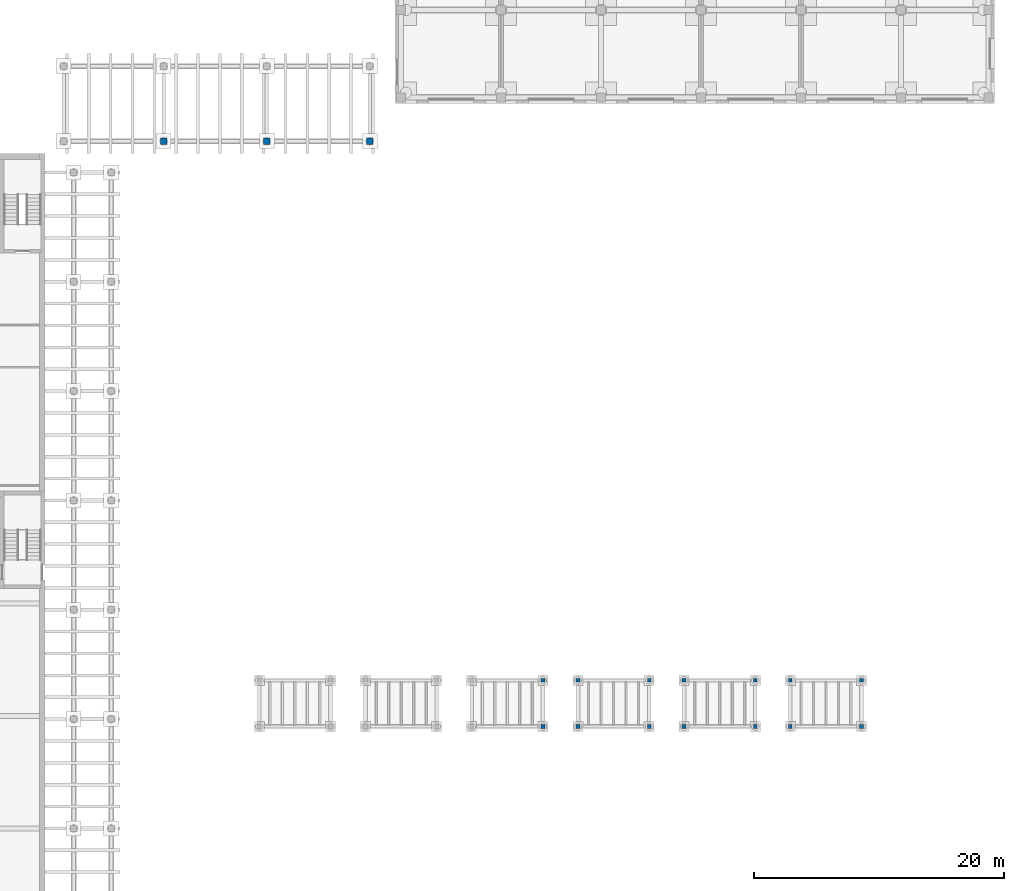
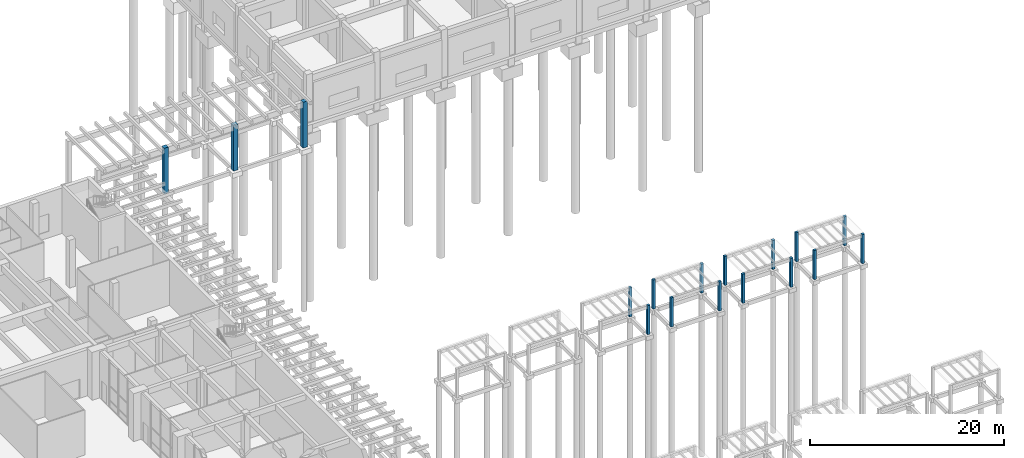
# One storey, part 8 of 51: 17 columns.
"""IFC4 building model written with IfcOpenShell, lengths in metres."""

from ifc_helpers import new_model, si_unit, direction, frame, origin, origin_2d, place, context, subcontext, project, spatial, rectangle, extrude, material, material_profile, profile_set, type_object, element, save


model = new_model("IFC4")

# Units and contexts
model_context = context("Model", 3, precision=1e-05, world=origin(), true_north=direction((0.0, 1.0)))
body_context = subcontext(model_context, "Body", "Model", "MODEL_VIEW")
ifc_project = project(units=[si_unit("LENGTHUNIT", "METRE"), si_unit("AREAUNIT", "SQUARE_METRE"), si_unit("VOLUMEUNIT", "CUBIC_METRE"), si_unit("PLANEANGLEUNIT", "RADIAN"), si_unit("MASSUNIT", "GRAM", prefix="KILO")], contexts=[model_context])

# Site, building, storey
site_placement = place(None, origin())
site = spatial("IfcSite", under=ifc_project, at=site_placement, CompositionType="ELEMENT")
building_placement = place(site_placement, origin())
building = spatial("IfcBuilding", under=site, at=building_placement, Name="Elmora Arch Market Hall", CompositionType="ELEMENT")
storey_placement = place(building_placement, origin())
storey = spatial("IfcBuildingStorey", under=building, at=storey_placement, Name="L00", CompositionType="ELEMENT", Elevation=0.0)

# Columns
ifc_material_1 = material(Name="Concrete C40/50", Category="concrete")
ifc_material_profile_1 = material_profile(ifc_material_1, rectangle(XDim=0.5, YDim=0.5, at=origin_2d()), Name="Passage column 500x500")
ifc_profile_set_1 = profile_set([ifc_material_profile_1], Name="Concrete C40/50")
column_type_1 = type_object("IfcColumnType", Name="Passage column 500x500", PredefinedType="COLUMN", material=ifc_profile_set_1)
for number, where, z_axis, x_axis, name in (
    (1, (67.5, 127.0, -0.300048828125), (0.0, 0.0, 1.0), (1.0, 0.0, 0.0), "Passage column PASS-N-02 L00"),
    (2, (75.75, 127.0, -0.300048828125), (0.0, 0.0, 1.0), (1.0, 0.0, 0.0), "Passage column PASS-N-03 L00"),
    (3, (84.0, 127.0, -0.300048828125), (0.0, 0.0, 1.0), (1.0, 0.0, 0.0), "Passage column PASS-N-04 L00"),
):
    element("IfcColumn", number, at=place(storey_placement, frame(where, z_axis=z_axis, x_axis=x_axis)), inside=storey, type_object=column_type_1, Name=name, PredefinedType="COLUMN", context=body_context, shape_type="SweptSolid", body=[
        extrude(rectangle(XDim=0.5, YDim=0.5, at=origin_2d()), origin(), (0.0, 0.0, 1.0), 5.75),
    ])
ifc_material_2 = material(Name="Concrete C40/50", Category="concrete")
ifc_material_profile_2 = material_profile(ifc_material_2, rectangle(XDim=0.300048828125, YDim=0.300048828125, at=origin_2d()), Name="Stall column 300x300")
ifc_profile_set_2 = profile_set([ifc_material_profile_2], Name="Concrete C40/50")
column_type_2 = type_object("IfcColumnType", Name="Stall column 300x300", PredefinedType="COLUMN", material=ifc_profile_set_2)
for number, where, z_axis, x_axis, name in (
    (4, (97.85009765625, 80.14990234375, -0.300048828125), (0.0, 0.0, 1.0), (1.0, 0.0, 0.0), "Stall column STALL-23-2 L00"),
    (5, (97.85009765625, 83.85009765625, -0.300048828125), (0.0, 0.0, 1.0), (1.0, 0.0, 0.0), "Stall column STALL-23-4 L00"),
    (6, (100.64990234375, 80.14990234375, -0.300048828125), (0.0, 0.0, 1.0), (1.0, 0.0, 0.0), "Stall column STALL-24-1 L00"),
    (7, (106.35009765625, 80.14990234375, -0.300048828125), (0.0, 0.0, 1.0), (1.0, 0.0, 0.0), "Stall column STALL-24-2 L00"),
    (8, (100.64990234375, 83.85009765625, -0.300048828125), (0.0, 0.0, 1.0), (1.0, 0.0, 0.0), "Stall column STALL-24-3 L00"),
    (9, (106.35009765625, 83.85009765625, -0.300048828125), (0.0, 0.0, 1.0), (1.0, 0.0, 0.0), "Stall column STALL-24-4 L00"),
    (10, (109.14990234375, 80.14990234375, -0.300048828125), (0.0, 0.0, 1.0), (1.0, 0.0, 0.0), "Stall column STALL-25-1 L00"),
    (11, (114.85009765625, 80.14990234375, -0.300048828125), (0.0, 0.0, 1.0), (1.0, 0.0, 0.0), "Stall column STALL-25-2 L00"),
    (12, (109.14990234375, 83.85009765625, -0.300048828125), (0.0, 0.0, 1.0), (1.0, 0.0, 0.0), "Stall column STALL-25-3 L00"),
    (13, (114.85009765625, 83.85009765625, -0.300048828125), (0.0, 0.0, 1.0), (1.0, 0.0, 0.0), "Stall column STALL-25-4 L00"),
    (14, (117.64990234375, 80.14990234375, -0.300048828125), (0.0, 0.0, 1.0), (1.0, 0.0, 0.0), "Stall column STALL-26-1 L00"),
    (15, (123.35009765625, 80.14990234375, -0.300048828125), (0.0, 0.0, 1.0), (1.0, 0.0, 0.0), "Stall column STALL-26-2 L00"),
    (16, (117.64990234375, 83.85009765625, -0.300048828125), (0.0, 0.0, 1.0), (1.0, 0.0, 0.0), "Stall column STALL-26-3 L00"),
    (17, (123.35009765625, 83.85009765625, -0.300048828125), (0.0, 0.0, 1.0), (1.0, 0.0, 0.0), "Stall column STALL-26-4 L00"),
):
    element("IfcColumn", number, at=place(storey_placement, frame(where, z_axis=z_axis, x_axis=x_axis)), inside=storey, type_object=column_type_2, Name=name, PredefinedType="COLUMN", context=body_context, shape_type="SweptSolid", body=[
        extrude(rectangle(XDim=0.300048828125, YDim=0.300048828125, at=origin_2d()), origin(), (0.0, 0.0, 1.0), 3.650146484375),
    ])

save(model, "model.ifc")
